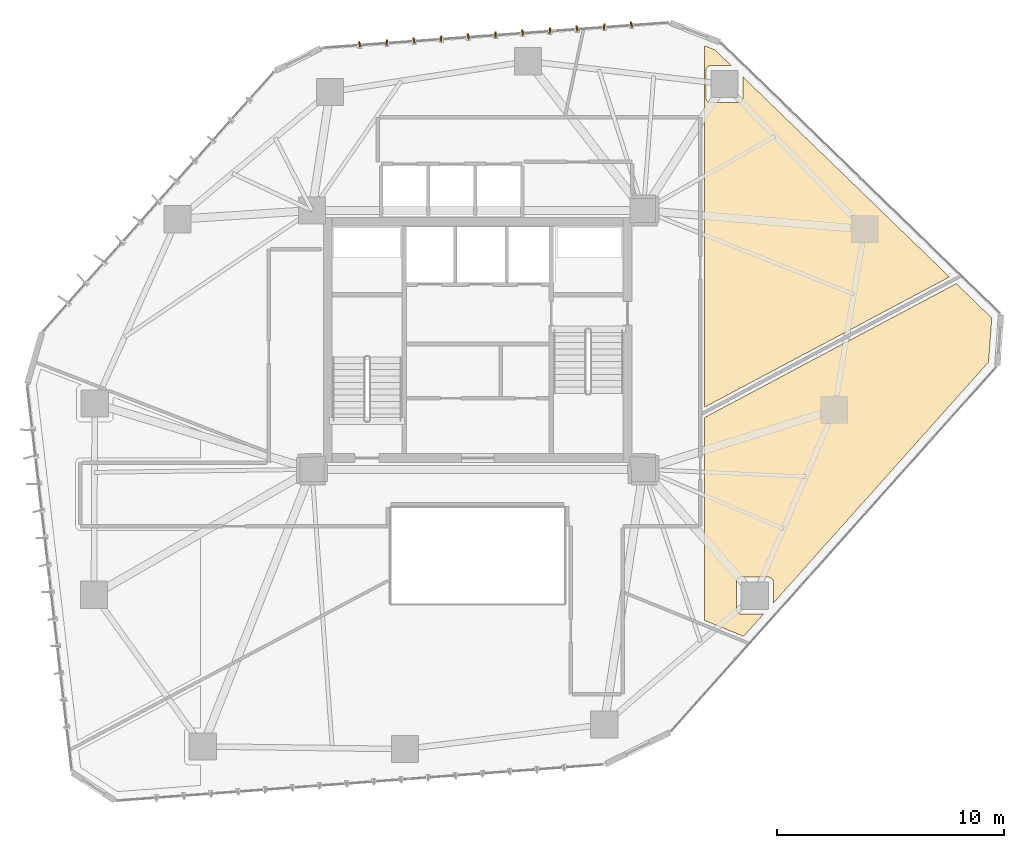
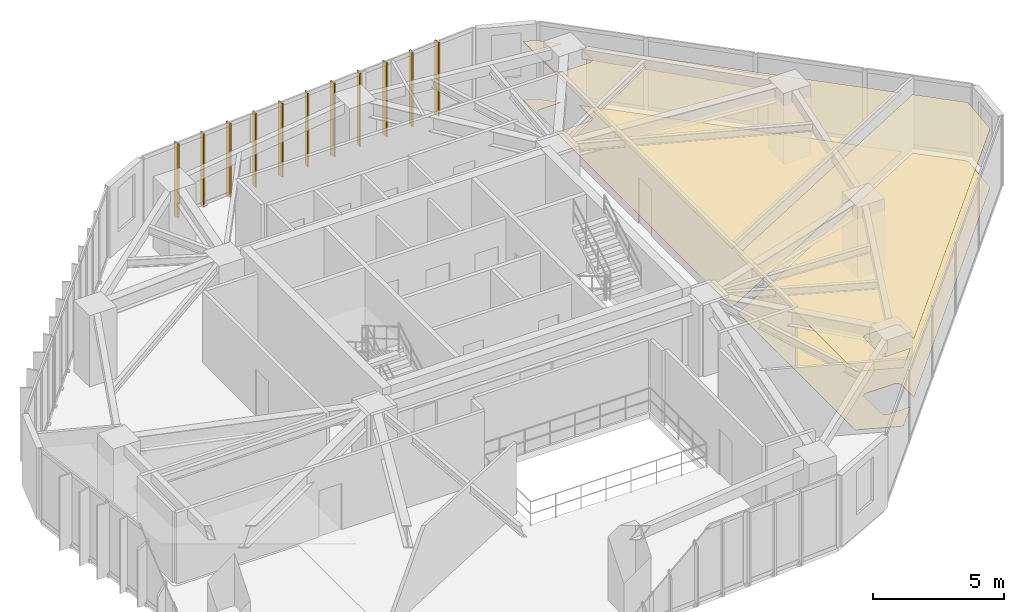
# One storey, part 23 of 23: 11 shading devices, 4 coverings.
"""IFC4 building model written with IfcOpenShell, lengths in metres."""

import ifcopenshell
import ifcopenshell.guid

model = None  # the IFC model being written
_history = None  # IfcOwnerHistory: only IFC2X3 demands one
_inside = {}  # id of a spatial element -> (the spatial element, [elements in it])
_under = {}  # id of a project, library or spatial element -> (it, [spatial elements below it])
_declared = {}  # id of a project -> (the project, [libraries it declares])
_typed = {}  # id of a type object -> (the type object, [elements of that type])
_made_of = {}  # id of a material, layer set ... -> (it, [elements and type objects made of it])


def new_model(schema):
    """Start an empty IFC model of exactly this schema.

    Asked for "IFC4X3", IfcOpenShell would pick the latest addendum, in which some entities
    have other attributes; the version numbers below select the first issue.
    IFC2X3 requires an IfcOwnerHistory on every rooted entity: one is made here for all.
    """
    global model, _history
    if schema == "IFC4X3":
        model = ifcopenshell.file(schema_version=(4, 3, 0, 0))
    else:
        model = ifcopenshell.file(schema=schema)
    _inside.clear()
    _under.clear()
    _declared.clear()
    _typed.clear()
    _made_of.clear()
    _history = None
    if model.schema == "IFC2X3":
        org = make("IfcOrganization", Name="unknown")
        user = make(
            "IfcPersonAndOrganization",
            ThePerson=make("IfcPerson", FamilyName="unknown"),
            TheOrganization=org,
        )
        app = make(
            "IfcApplication",
            ApplicationDeveloper=org,
            Version="unknown",
            ApplicationFullName="unknown",
            ApplicationIdentifier="unknown",
        )
        _history = make(
            "IfcOwnerHistory",
            OwningUser=user,
            OwningApplication=app,
            ChangeAction="ADDED",
            CreationDate=0,
        )
    return model


def make(cls, **values):
    """One entity of the class cls with the attributes given. An attribute that is None is left unset."""
    return model.create_entity(
        cls, **{name: value for name, value in values.items() if value is not None}
    )


def rooted(cls, **values):
    """An entity with a GlobalId (a new one), such as an element, a storey or a relation."""
    return make(cls, GlobalId=ifcopenshell.guid.new(), OwnerHistory=_history, **values)


def si_unit(unit_type, name, prefix=None):
    """IfcSIUnit, for example si_unit("LENGTHUNIT", "METRE", prefix="MILLI")."""
    return make("IfcSIUnit", UnitType=unit_type, Prefix=prefix, Name=name)


def assignment(units):
    """IfcUnitAssignment: the units of a project."""
    return None if units is None else make("IfcUnitAssignment", Units=units)


def point(xyz):
    """IfcCartesianPoint."""
    return None if xyz is None else make("IfcCartesianPoint", Coordinates=xyz)


def direction(xyz):
    """IfcDirection."""
    return None if xyz is None else make("IfcDirection", DirectionRatios=xyz)


def frame(location, z_axis=None, x_axis=None):
    """IfcAxis2Placement3D, a coordinate frame: its origin and axes. An axis left out is left unset."""
    return make(
        "IfcAxis2Placement3D",
        Location=point(location),
        Axis=direction(z_axis),
        RefDirection=direction(x_axis),
    )


def frame_2d(location, x_axis=None):
    """IfcAxis2Placement2D, a coordinate frame in the plane: its origin and x axis."""
    return make(
        "IfcAxis2Placement2D", Location=point(location), RefDirection=direction(x_axis)
    )


def origin():
    """The frame at (0, 0, 0) with its axes left unset."""
    return frame((0.0, 0.0, 0.0))


def origin_2d():
    """The frame at (0, 0) in the plane with its x axis left unset."""
    return frame_2d((0.0, 0.0))


def place(relative_to, where):
    """IfcLocalPlacement: puts the frame where relative to a parent placement (None: the world)."""
    return make(
        "IfcLocalPlacement", PlacementRelTo=relative_to, RelativePlacement=where
    )


def context(
    kind, dimensions, precision=None, world=None, true_north=None, identifier=None
):
    """IfcGeometricRepresentationContext, for example the 3D "Model" context."""
    return make(
        "IfcGeometricRepresentationContext",
        ContextIdentifier=identifier,
        ContextType=kind,
        CoordinateSpaceDimension=dimensions,
        Precision=precision,
        WorldCoordinateSystem=world,
        TrueNorth=true_north,
    )


def subcontext(parent, identifier, kind, view, scale=None):
    """IfcGeometricRepresentationSubContext, for example "Body" below "Model"."""
    return make(
        "IfcGeometricRepresentationSubContext",
        ContextIdentifier=identifier,
        ContextType=kind,
        ParentContext=parent,
        TargetScale=scale,
        TargetView=view,
    )


def project(units=None, contexts=None):
    """IfcProject with its units and contexts."""
    return rooted(
        "IfcProject",
        Name="project",
        RepresentationContexts=contexts,
        UnitsInContext=assignment(units),
    )


def spatial(cls, under=None, at=None, **own):
    """A site, building, storey or space (cls), placed at a placement, below another one or the project."""
    s = rooted(cls, ObjectPlacement=at, **own)
    if under is not None:
        _under.setdefault(under.id(), (under, []))[1].append(s)
    return s


def polyline(points):
    """IfcPolyline through the points."""
    return make("IfcPolyline", Points=[point(p) for p in points])


def profile(cls, at=None, kind="AREA", **sizes):
    """A parametric profile (cls). Its sizes go by their IFC names, for example OverallWidth=200.0."""
    return make(cls, ProfileType=kind, Position=at, **sizes)


def rectangle(**sizes):
    """IfcRectangleProfileDef."""
    return profile("IfcRectangleProfileDef", **sizes)


def outline(outer, holes=None, kind="AREA"):
    """IfcArbitraryClosedProfileDef: a profile drawn as a closed curve; with holes, ...WithVoids."""
    if holes is None:
        return make("IfcArbitraryClosedProfileDef", ProfileType=kind, OuterCurve=outer)
    return make(
        "IfcArbitraryProfileDefWithVoids",
        ProfileType=kind,
        OuterCurve=outer,
        InnerCurves=holes,
    )


def extrude(swept, where, along, depth):
    """IfcExtrudedAreaSolid: the profile swept, set in the frame where, extruded along a direction by depth."""
    return make(
        "IfcExtrudedAreaSolid",
        SweptArea=swept,
        Position=where,
        ExtrudedDirection=direction(along),
        Depth=depth,
    )


def shape(context_of_items, identifier, shape_type, items):
    """IfcShapeRepresentation: the items that make up one representation, for example the "Body"."""
    return make(
        "IfcShapeRepresentation",
        ContextOfItems=context_of_items,
        RepresentationIdentifier=identifier,
        RepresentationType=shape_type,
        Items=items,
    )


def source(mapping_origin, context_of_items, identifier, shape_type, items):
    """IfcRepresentationMap: a shape defined once, which mapped items show again and again."""
    return make(
        "IfcRepresentationMap",
        MappingOrigin=mapping_origin,
        MappedRepresentation=shape(context_of_items, identifier, shape_type, items),
    )


def transform(
    local_origin,
    x_axis=None,
    y_axis=None,
    z_axis=None,
    scale=None,
    scale2=None,
    scale3=None,
    uniform=True,
):
    """IfcCartesianTransformationOperator3D, or its non-uniform kind. x_axis, y_axis, z_axis: its Axis1, 2, 3."""
    if uniform:
        return make(
            "IfcCartesianTransformationOperator3D",
            Axis1=direction(x_axis),
            Axis2=direction(y_axis),
            LocalOrigin=point(local_origin),
            Scale=scale,
            Axis3=direction(z_axis),
        )
    return make(
        "IfcCartesianTransformationOperator3DnonUniform",
        Axis1=direction(x_axis),
        Axis2=direction(y_axis),
        LocalOrigin=point(local_origin),
        Scale=scale,
        Axis3=direction(z_axis),
        Scale2=scale2,
        Scale3=scale3,
    )


def mapped(mapping_source, mapping_target):
    """IfcMappedItem: shows the shape of a source again, moved by a transform."""
    return make(
        "IfcMappedItem", MappingSource=mapping_source, MappingTarget=mapping_target
    )


def material(Name=None, Category=None):
    """IfcMaterial."""
    return make("IfcMaterial", Name=Name, Category=Category)


def layer(
    of_material, thickness, ventilated=None, Name=None, Category=None, Priority=None
):
    """IfcMaterialLayer: one layer of a wall or slab, of a material (None: an air gap)."""
    return make(
        "IfcMaterialLayer",
        Material=of_material,
        LayerThickness=thickness,
        IsVentilated=ventilated,
        Name=Name,
        Category=Category,
        Priority=Priority,
    )


def layer_set(layers, Name=None):
    """IfcMaterialLayerSet."""
    return make("IfcMaterialLayerSet", MaterialLayers=layers, LayerSetName=Name)


def made_of(thing, what):
    """Note that an element or type object is made of a material, layer set ...; save() writes the relation."""
    if what is not None:
        _made_of.setdefault(what.id(), (what, []))[1].append(thing)
    return thing


def type_object(cls, material=None, **own):
    """A type object (cls), such as IfcWallType, which elements share."""
    return made_of(rooted(cls, **own), material)


def type_shapes(of_type, sources):
    """Give a type object the sources (RepresentationMaps) that its elements show as mapped items."""
    of_type.RepresentationMaps = sources


def element(
    cls,
    number,
    at=None,
    inside=None,
    cuts=None,
    type_object=None,
    material=None,
    context=None,
    identifier="Body",
    shape_type=None,
    held_by="IfcProductDefinitionShape",
    body=None,
    shapes=None,
    **own,
):
    """One element of the class cls, such as IfcWall. Its Tag is "e" and its number.

    at: its placement. inside: the storey or other place that contains it. cuts: it is an
    opening in that element (IfcRelVoidsElement). A single representation is given by context,
    identifier, shape_type and body (its items); several are given by shapes. held_by: the class
    of the entity that holds the representations. save() writes the other relations.
    """
    e = rooted(cls, Tag="e%d" % number, ObjectPlacement=at, **own)
    if body is not None:
        shapes = [shape(context, identifier, shape_type, body)]
    if shapes is not None:
        e.Representation = make(held_by, Representations=shapes)
    if inside is not None:
        _inside.setdefault(inside.id(), (inside, []))[1].append(e)
    if cuts is not None:
        rooted(
            "IfcRelVoidsElement", RelatingBuildingElement=cuts, RelatedOpeningElement=e
        )
    if type_object is not None:
        _typed.setdefault(type_object.id(), (type_object, []))[1].append(e)
    return made_of(e, material)


def aggregate(whole, parts):
    """IfcRelAggregates: a whole, such as a stair, and the parts it consists of."""
    return rooted("IfcRelAggregates", RelatingObject=whole, RelatedObjects=parts)


def save(model, path):
    """Write the relations noted so far, then the file.

    IfcRelAggregates (storeys below a building ...), IfcRelContainedInSpatialStructure (elements
    in a storey), IfcRelDefinesByType, IfcRelAssociatesMaterial and IfcRelDeclares: one each for
    every whole, place, type object, material and project.
    """
    for whole, parts in _under.values():
        aggregate(whole, parts)
    for where, things in _inside.values():
        rooted(
            "IfcRelContainedInSpatialStructure",
            RelatedElements=things,
            RelatingStructure=where,
        )
    for kind, things in _typed.values():
        rooted("IfcRelDefinesByType", RelatedObjects=things, RelatingType=kind)
    for what, things in _made_of.values():
        rooted("IfcRelAssociatesMaterial", RelatedObjects=things, RelatingMaterial=what)
    for by, libraries in _declared.values():
        rooted("IfcRelDeclares", RelatingContext=by, RelatedDefinitions=libraries)
    model.write(path)


model = new_model("IFC4")

# Units and contexts
model_context = context("Model", 3, precision=1e-05, world=origin(), true_north=direction((0.0, 1.0)))
body_context = subcontext(model_context, "Body", "Model", "MODEL_VIEW")
ifc_project = project(units=[si_unit("LENGTHUNIT", "METRE"), si_unit("AREAUNIT", "SQUARE_METRE"), si_unit("VOLUMEUNIT", "CUBIC_METRE"), si_unit("PLANEANGLEUNIT", "RADIAN"), si_unit("MASSUNIT", "GRAM", prefix="KILO")], contexts=[model_context])

# Site, building, storey
site_placement = place(None, origin())
site = spatial("IfcSite", under=ifc_project, at=site_placement, CompositionType="ELEMENT")
building_placement = place(site_placement, origin())
building = spatial("IfcBuilding", under=site, at=building_placement, Name="Talar Marvaseh", CompositionType="ELEMENT")
storey_placement = place(building_placement, frame((0.0, 0.0, 103.800048828125)))
storey = spatial("IfcBuildingStorey", under=building, at=storey_placement, Name="L26", CompositionType="ELEMENT", Elevation=103.800048828125)

# Coverings
ifc_material_1 = material(Name="Mineral Fibre Acoustic Ceiling")
ifc_layer_1 = layer(ifc_material_1, 0.02490234375)
ifc_layer_set_1 = layer_set([ifc_layer_1], Name="Mineral Fibre Acoustic Ceiling")
covering_type_1 = type_object("IfcCoveringType", Name="Perforated Mineral Fibre Acoustic Suspended Ceiling", PredefinedType="CEILING", material=ifc_layer_set_1)
covering_1_placement = place(storey_placement, frame((0.0, 0.0, 2.719970703125)))
element("IfcCovering", 1, at=covering_1_placement, inside=storey, type_object=covering_type_1, Name="L26 Accessible WC Block Acoustic Ceiling", PredefinedType="CEILING", context=body_context, shape_type="SweptSolid", body=[
    extrude(outline(polyline([(36.0, 18.84619140625), (36.0, 23.0), (36.0, 27.79052734375), (47.0791015625, 33.681396484375), (48.642333984375, 32.166748046875), (48.5009765625, 30.229736328125), (39.017578125, 19.60791015625), (39.02099609375, 20.541748046875), (39.02001953125, 20.560302734375), (39.017578125, 20.578857421875), (39.01318359375, 20.596923828125), (39.00732421875, 20.614501953125), (39.0, 20.631591796875), (38.990966796875, 20.64794921875), (38.980224609375, 20.663330078125), (38.968505859375, 20.677490234375), (38.955078125, 20.690673828125), (38.940185546875, 20.7041015625), (38.926025390625, 20.716064453125), (38.91064453125, 20.726318359375), (38.89453125, 20.7353515625), (38.877685546875, 20.74267578125), (38.860107421875, 20.74853515625), (38.842041015625, 20.752685546875), (38.82373046875, 20.755126953125), (38.805419921875, 20.756103515625), (37.5947265625, 20.751708984375), (37.5751953125, 20.75048828125), (37.555908203125, 20.74755859375), (37.536865234375, 20.742919921875), (37.518310546875, 20.736083984375), (37.500732421875, 20.727783203125), (37.48388671875, 20.717529296875), (37.46826171875, 20.705810546875), (37.45361328125, 20.69287109375), (37.440673828125, 20.67822265625), (37.428955078125, 20.66259765625), (37.4189453125, 20.645751953125), (37.41064453125, 20.6279296875), (37.404052734375, 20.609619140625), (37.399169921875, 20.590576171875), (37.396484375, 20.5712890625), (37.3955078125, 20.551513671875), (37.3955078125, 19.330322265625), (37.396484375, 19.310791015625), (37.399169921875, 19.29150390625), (37.404052734375, 19.272216796875), (37.41064453125, 19.25390625), (37.4189453125, 19.236083984375), (37.42919921875, 19.21923828125), (37.44091796875, 19.20361328125), (37.4541015625, 19.18896484375), (37.468505859375, 19.17578125), (37.484375, 19.1640625), (37.501220703125, 19.154052734375), (37.518798828125, 19.1455078125), (37.537353515625, 19.138916015625), (37.556396484375, 19.13427734375), (37.57568359375, 19.13134765625), (37.595458984375, 19.13037109375), (38.59130859375, 19.13037109375), (37.714599609375, 18.1484375), (36.0, 18.84619140625)])), origin(), (0.0, 0.0, 1.0), 0.02490234375),
])
covering_2_placement = place(storey_placement, frame((0.0, 0.0, 2.719970703125)))
element("IfcCovering", 2, at=covering_2_placement, inside=storey, type_object=covering_type_1, Name="L26 Archival Research Office Acoustic Ceiling", PredefinedType="CEILING", context=body_context, shape_type="SweptSolid", body=[
    extrude(outline(polyline([(36.254638671875, 43.281494140625), (36.235107421875, 43.280517578125), (36.2158203125, 43.277587890625), (36.19677734375, 43.272705078125), (36.178466796875, 43.26611328125), (36.16064453125, 43.2578125), (36.143798828125, 43.24755859375), (36.128173828125, 43.23583984375), (36.11376953125, 43.222900390625), (36.1005859375, 43.208251953125), (36.089111328125, 43.1923828125), (36.078857421875, 43.17578125), (36.070556640625, 43.157958984375), (36.06396484375, 43.139404296875), (36.05908203125, 43.12060546875), (36.056396484375, 43.101318359375), (36.055419921875, 43.08154296875), (36.055419921875, 41.8603515625), (36.056396484375, 41.8408203125), (36.05908203125, 41.8212890625), (36.06396484375, 41.80224609375), (36.070556640625, 41.783935546875), (36.0791015625, 41.76611328125), (36.089111328125, 41.749267578125), (36.100830078125, 41.7333984375), (36.114013671875, 41.718994140625), (36.12841796875, 41.705810546875), (36.144287109375, 41.694091796875), (36.1611328125, 41.68408203125), (36.178955078125, 41.675537109375), (36.197265625, 41.6689453125), (36.21630859375, 41.664306640625), (36.23583984375, 41.661376953125), (36.25537109375, 41.660400390625), (37.4765625, 41.660400390625), (37.49609375, 41.661376953125), (37.515380859375, 41.664306640625), (37.534423828125, 41.6689453125), (37.552978515625, 41.675537109375), (37.57080078125, 41.683837890625), (37.58740234375, 41.694091796875), (37.603271484375, 41.70556640625), (37.617919921875, 41.71875), (37.630859375, 41.733154296875), (37.642578125, 41.748779296875), (37.65283203125, 41.765625), (37.6611328125, 41.783447265625), (37.667724609375, 41.8017578125), (37.672607421875, 41.82080078125), (37.675537109375, 41.840087890625), (37.676513671875, 41.859619140625), (37.679931640625, 42.788818359375), (46.777099609375, 33.973876953125), (36.0, 28.24365234375), (36.0, 41.0), (36.0, 44.1513671875), (36.458984375, 43.9716796875), (37.167724609375, 43.284912109375), (36.254638671875, 43.281494140625)])), origin(), (0.0, 0.0, 1.0), 0.02490234375),
])
ifc_material_2 = material(Name="Porcelain Stoneware Tile", Category="masonry")
ifc_layer_2 = layer(ifc_material_2, 0.02001953125)
ifc_layer_set_2 = layer_set([ifc_layer_2], Name="Porcelain Stoneware Tile")
covering_type_2 = type_object("IfcCoveringType", Name="Polished Porcelain Stoneware Gallery Flooring", PredefinedType="FLOORING", material=ifc_layer_set_2)
covering_3_placement = place(storey_placement, origin())
element("IfcCovering", 3, at=covering_3_placement, inside=storey, type_object=covering_type_2, Name="L26 Accessible WC Block Flooring", PredefinedType="FLOORING", context=body_context, shape_type="SweptSolid", body=[
    extrude(outline(polyline([(36.0, 18.84619140625), (36.0, 23.0), (36.0, 27.79052734375), (47.0791015625, 33.681396484375), (48.642333984375, 32.166748046875), (48.5009765625, 30.229736328125), (39.017578125, 19.60791015625), (39.02099609375, 20.541748046875), (39.02001953125, 20.560302734375), (39.017578125, 20.578857421875), (39.01318359375, 20.596923828125), (39.00732421875, 20.614501953125), (39.0, 20.631591796875), (38.990966796875, 20.64794921875), (38.980224609375, 20.663330078125), (38.968505859375, 20.677490234375), (38.955078125, 20.690673828125), (38.940185546875, 20.7041015625), (38.926025390625, 20.716064453125), (38.91064453125, 20.726318359375), (38.89453125, 20.7353515625), (38.877685546875, 20.74267578125), (38.860107421875, 20.74853515625), (38.842041015625, 20.752685546875), (38.82373046875, 20.755126953125), (38.805419921875, 20.756103515625), (37.5947265625, 20.751708984375), (37.5751953125, 20.75048828125), (37.555908203125, 20.74755859375), (37.536865234375, 20.742919921875), (37.518310546875, 20.736083984375), (37.500732421875, 20.727783203125), (37.48388671875, 20.717529296875), (37.46826171875, 20.705810546875), (37.45361328125, 20.69287109375), (37.440673828125, 20.67822265625), (37.428955078125, 20.66259765625), (37.4189453125, 20.645751953125), (37.41064453125, 20.6279296875), (37.404052734375, 20.609619140625), (37.399169921875, 20.590576171875), (37.396484375, 20.5712890625), (37.3955078125, 20.551513671875), (37.3955078125, 19.330322265625), (37.396484375, 19.310791015625), (37.399169921875, 19.29150390625), (37.404052734375, 19.272216796875), (37.41064453125, 19.25390625), (37.4189453125, 19.236083984375), (37.42919921875, 19.21923828125), (37.44091796875, 19.20361328125), (37.4541015625, 19.18896484375), (37.468505859375, 19.17578125), (37.484375, 19.1640625), (37.501220703125, 19.154052734375), (37.518798828125, 19.1455078125), (37.537353515625, 19.138916015625), (37.556396484375, 19.13427734375), (37.57568359375, 19.13134765625), (37.595458984375, 19.13037109375), (38.59130859375, 19.13037109375), (37.714599609375, 18.1484375), (36.0, 18.84619140625)])), origin(), (0.0, 0.0, 1.0), 0.02001953125),
])
covering_4_placement = place(storey_placement, origin())
element("IfcCovering", 4, at=covering_4_placement, inside=storey, type_object=covering_type_2, Name="L26 Archival Research Office Flooring", PredefinedType="FLOORING", context=body_context, shape_type="SweptSolid", body=[
    extrude(outline(polyline([(36.254638671875, 43.281494140625), (36.235107421875, 43.280517578125), (36.2158203125, 43.277587890625), (36.19677734375, 43.272705078125), (36.178466796875, 43.26611328125), (36.16064453125, 43.2578125), (36.143798828125, 43.24755859375), (36.128173828125, 43.23583984375), (36.11376953125, 43.222900390625), (36.1005859375, 43.208251953125), (36.089111328125, 43.1923828125), (36.078857421875, 43.17578125), (36.070556640625, 43.157958984375), (36.06396484375, 43.139404296875), (36.05908203125, 43.12060546875), (36.056396484375, 43.101318359375), (36.055419921875, 43.08154296875), (36.055419921875, 41.8603515625), (36.056396484375, 41.8408203125), (36.05908203125, 41.8212890625), (36.06396484375, 41.80224609375), (36.070556640625, 41.783935546875), (36.0791015625, 41.76611328125), (36.089111328125, 41.749267578125), (36.100830078125, 41.7333984375), (36.114013671875, 41.718994140625), (36.12841796875, 41.705810546875), (36.144287109375, 41.694091796875), (36.1611328125, 41.68408203125), (36.178955078125, 41.675537109375), (36.197265625, 41.6689453125), (36.21630859375, 41.664306640625), (36.23583984375, 41.661376953125), (36.25537109375, 41.660400390625), (37.4765625, 41.660400390625), (37.49609375, 41.661376953125), (37.515380859375, 41.664306640625), (37.534423828125, 41.6689453125), (37.552978515625, 41.675537109375), (37.57080078125, 41.683837890625), (37.58740234375, 41.694091796875), (37.603271484375, 41.70556640625), (37.617919921875, 41.71875), (37.630859375, 41.733154296875), (37.642578125, 41.748779296875), (37.65283203125, 41.765625), (37.6611328125, 41.783447265625), (37.667724609375, 41.8017578125), (37.672607421875, 41.82080078125), (37.675537109375, 41.840087890625), (37.676513671875, 41.859619140625), (37.679931640625, 42.788818359375), (46.777099609375, 33.973876953125), (36.0, 28.24365234375), (36.0, 41.0), (36.0, 44.1513671875), (36.458984375, 43.9716796875), (37.167724609375, 43.284912109375), (36.254638671875, 43.281494140625)])), origin(), (0.0, 0.0, 1.0), 0.02001953125),
])

# Shading devices
ifc_material_3 = material(Name="Anodised Champagne Bronze Aluminium", Category="aluminium")
ifc_layer_3 = layer(ifc_material_3, 0.06494140625)
ifc_layer_set_3 = layer_set([ifc_layer_3], Name="Anodised Champagne Bronze Aluminium")
shading_device_type = type_object("IfcShadingDeviceType", Name="Sawtooth Champagne Bronze Vertical Fin 240", PredefinedType="USERDEFINED", material=ifc_layer_set_3)
shared_shape = source(origin(), body_context, "Body", "SweptSolid", [
    extrude(rectangle(XDim=0.239990234375, YDim=0.06494140625, at=origin_2d()), origin(), (0.0, 0.0, 1.0), 3.429931640625),
])
type_shapes(shading_device_type, [shared_shape])
for number, where, z_axis, x_axis, name in (
    (5, (20.800537109375, 44.222412109375, -0.1201171875), (0.0, 0.0, 1.0), (-0.210983601077, 0.977489601007, 0.0), "L26 Sawtooth Vertical Solar Fin"),
    (6, (21.997314453125, 44.31005859375, -0.1201171875), (0.0, 0.0, 1.0), (0.066622194773, 0.997778273548, 0.0), "L26 Sawtooth Vertical Solar Fin"),
    (7, (23.194091796875, 44.397705078125, -0.1201171875), (0.0, 0.0, 1.0), (-0.210983601077, 0.977489601007, 0.0), "L26 Sawtooth Vertical Solar Fin"),
    (8, (24.390869140625, 44.485107421875, -0.1201171875), (0.0, 0.0, 1.0), (0.066622194773, 0.997778273548, 0.0), "L26 Sawtooth Vertical Solar Fin"),
    (9, (25.587646484375, 44.572509765625, -0.1201171875), (0.0, 0.0, 1.0), (-0.210983601077, 0.977489601007, 0.0), "L26 Sawtooth Vertical Solar Fin"),
    (10, (26.784423828125, 44.66015625, -0.1201171875), (0.0, 0.0, 1.0), (0.066622194773, 0.997778273548, 0.0), "L26 Sawtooth Vertical Solar Fin"),
    (11, (27.981201171875, 44.74755859375, -0.1201171875), (0.0, 0.0, 1.0), (-0.210983601077, 0.977489601007, 0.0), "L26 Sawtooth Vertical Solar Fin"),
    (12, (29.177978515625, 44.835205078125, -0.1201171875), (0.0, 0.0, 1.0), (0.066622194773, 0.997778273548, 0.0), "L26 Sawtooth Vertical Solar Fin"),
    (13, (30.375, 44.922607421875, -0.1201171875), (0.0, 0.0, 1.0), (-0.210983601077, 0.977489601007, 0.0), "L26 Sawtooth Vertical Solar Fin"),
    (14, (31.57177734375, 45.01025390625, -0.1201171875), (0.0, 0.0, 1.0), (0.066622194773, 0.997778273548, 0.0), "L26 Sawtooth Vertical Solar Fin"),
    (15, (32.7685546875, 45.09765625, -0.1201171875), (0.0, 0.0, 1.0), (-0.210983601077, 0.977489601007, 0.0), "L26 Sawtooth Vertical Solar Fin"),
):
    element("IfcShadingDevice", number, at=place(storey_placement, frame(where, z_axis=z_axis, x_axis=x_axis)), inside=storey, type_object=shading_device_type, Name=name, ObjectType="FIN", PredefinedType="USERDEFINED", context=body_context, shape_type="MappedRepresentation", body=[
        mapped(shared_shape, transform((0.0, 0.0, 0.0), x_axis=(1.0, 0.0, 0.0), y_axis=(0.0, 1.0, 0.0), z_axis=(0.0, 0.0, 1.0), scale=1.0)),
    ])

save(model, "model.ifc")
